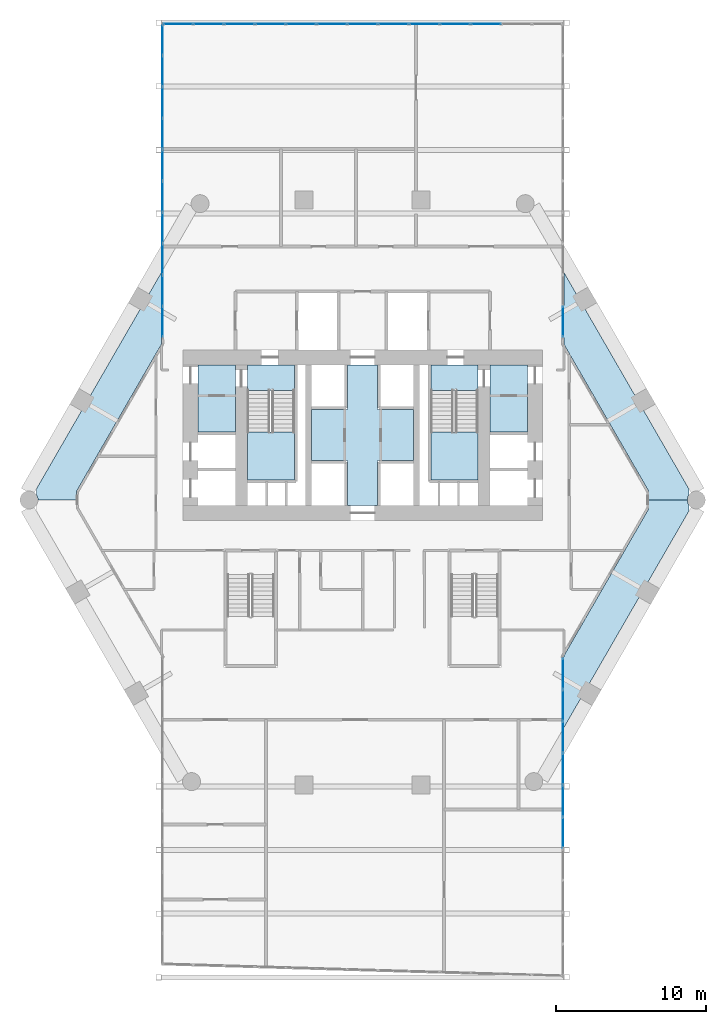
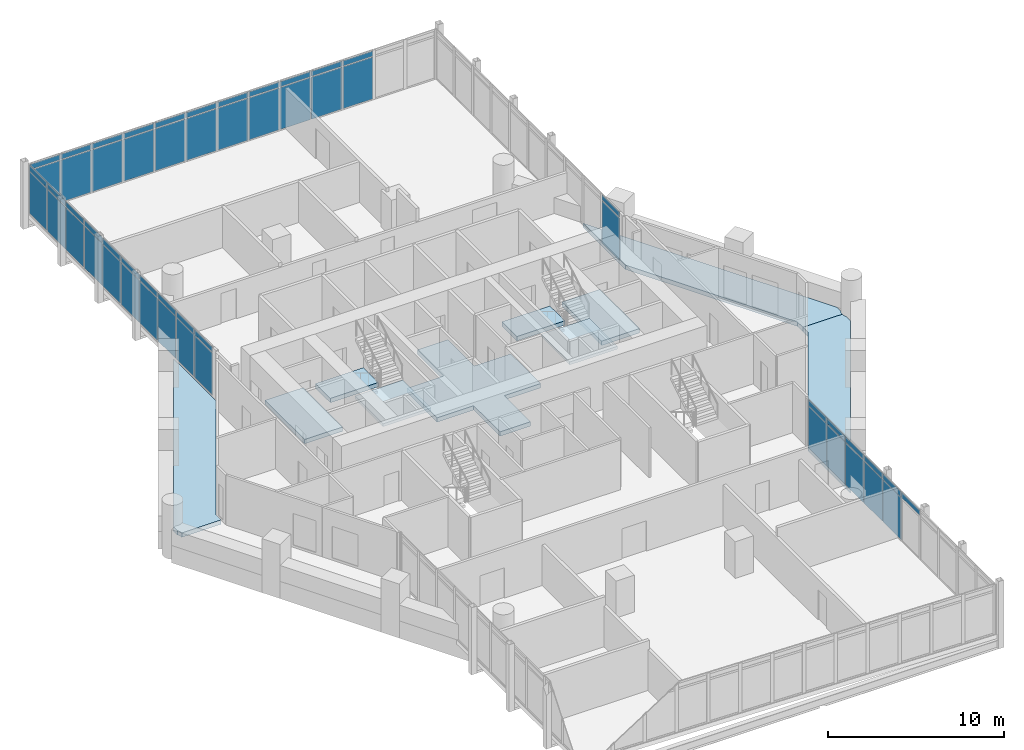
# One storey, part 21 of 28: 55 plates, 10 slabs, 6 elements without a shape of their own.
"""IFC4 building model written with IfcOpenShell, lengths in metres."""

from ifc_helpers import new_model, si_unit, direction, frame, origin, origin_2d, place, context, subcontext, project, spatial, polyline, rectangle, outline, extrude, material, layer, layer_set, type_object, element, aggregate, save


model = new_model("IFC4")

# Units and contexts
model_context = context("Model", 3, precision=1e-05, world=origin(), true_north=direction((0.0, 1.0)))
body_context = subcontext(model_context, "Body", "Model", "MODEL_VIEW")
ifc_project = project(units=[si_unit("LENGTHUNIT", "METRE"), si_unit("AREAUNIT", "SQUARE_METRE"), si_unit("VOLUMEUNIT", "CUBIC_METRE"), si_unit("PLANEANGLEUNIT", "RADIAN"), si_unit("MASSUNIT", "GRAM", prefix="KILO")], contexts=[model_context])

# Site, building, storey
site_placement = place(None, origin())
site = spatial("IfcSite", under=ifc_project, at=site_placement, CompositionType="ELEMENT")
building_placement = place(site_placement, origin())
building = spatial("IfcBuilding", under=site, at=building_placement, Name="Ostrander Bayou Hotel Tower", CompositionType="ELEMENT")
storey_placement = place(building_placement, frame((0.0, 0.0, 104.25)))
storey = spatial("IfcBuildingStorey", under=building, at=storey_placement, Name="L26", CompositionType="ELEMENT", Elevation=104.25)

# Curtain wall, plates
ifc_material_1 = material(Name="Aluminium and clear glass", Category="aluminium")
curtain_wall_type = type_object("IfcCurtainWallType", Name="CW-BAR glazed wall", PredefinedType="NOTDEFINED", material=ifc_material_1)
curtain_wall_1_placement = place(storey_placement, origin())
curtain_wall_1 = element("IfcCurtainWall", 1, at=curtain_wall_1_placement, inside=storey, type_object=curtain_wall_type, Name="CW-BAR L26:SB2S:W", PredefinedType="NOTDEFINED")
ifc_material_2 = material(Name="Clear laminated glass", Category="glass")
ifc_layer_1 = layer(ifc_material_2, 0.028076171875)
ifc_layer_set_1 = layer_set([ifc_layer_1], Name="CW-BR glazing panel 28 mm")
plate_type = type_object("IfcPlateType", Name="CW-BR glazing panel 28 mm", PredefinedType="CURTAIN_PANEL", material=ifc_layer_set_1)
plate_1_placement = place(storey_placement, frame((13.3671875, -11.9248046875, 0.06005859375), z_axis=(0.0, 0.0, 1.0), x_axis=(0.0, -1.0, 0.0)))
plate_1 = element("IfcPlate", 2, at=plate_1_placement, type_object=plate_type, Name="CW-BAR panel 1.1", PredefinedType="CURTAIN_PANEL", context=body_context, shape_type="SweptSolid", body=[
    extrude(rectangle(XDim=2.03515625, YDim=0.028076171875, at=origin_2d()), origin(), (0.0, 0.0, 1.0), 2.909912109375),
])
plate_2_placement = place(storey_placement, frame((13.3671875, -11.9248046875, 3.02978515625), z_axis=(0.0, 0.0, 1.0), x_axis=(0.0, -1.0, 0.0)))
plate_2 = element("IfcPlate", 3, at=plate_2_placement, type_object=plate_type, Name="CW-BAR panel 1.2", PredefinedType="CURTAIN_PANEL", context=body_context, shape_type="SweptSolid", body=[
    extrude(rectangle(XDim=2.03515625, YDim=0.028076171875, at=origin_2d()), origin(), (0.0, 0.0, 1.0), 0.360107421875),
])
plate_3_placement = place(storey_placement, frame((13.3671875, -14.034912109375, 0.06005859375), z_axis=(0.0, 0.0, 1.0), x_axis=(0.0, -1.0, 0.0)))
plate_3 = element("IfcPlate", 4, at=plate_3_placement, type_object=plate_type, Name="CW-BAR panel 2.1", PredefinedType="CURTAIN_PANEL", context=body_context, shape_type="SweptSolid", body=[
    extrude(rectangle(XDim=2.06494140625, YDim=0.028076171875, at=origin_2d()), origin(), (0.0, 0.0, 1.0), 2.909912109375),
])
plate_4_placement = place(storey_placement, frame((13.3671875, -14.034912109375, 3.02978515625), z_axis=(0.0, 0.0, 1.0), x_axis=(0.0, -1.0, 0.0)))
plate_4 = element("IfcPlate", 5, at=plate_4_placement, type_object=plate_type, Name="CW-BAR panel 2.2", PredefinedType="CURTAIN_PANEL", context=body_context, shape_type="SweptSolid", body=[
    extrude(rectangle(XDim=2.06494140625, YDim=0.028076171875, at=origin_2d()), origin(), (0.0, 0.0, 1.0), 0.360107421875),
])
plate_5_placement = place(storey_placement, frame((13.3671875, -16.159912109375, 0.06005859375), z_axis=(0.0, 0.0, 1.0), x_axis=(0.0, -1.0, 0.0)))
plate_5 = element("IfcPlate", 6, at=plate_5_placement, type_object=plate_type, Name="CW-BAR panel 3.1", PredefinedType="CURTAIN_PANEL", context=body_context, shape_type="SweptSolid", body=[
    extrude(rectangle(XDim=2.06494140625, YDim=0.028076171875, at=origin_2d()), origin(), (0.0, 0.0, 1.0), 2.909912109375),
])
plate_6_placement = place(storey_placement, frame((13.3671875, -16.159912109375, 3.02978515625), z_axis=(0.0, 0.0, 1.0), x_axis=(0.0, -1.0, 0.0)))
plate_6 = element("IfcPlate", 7, at=plate_6_placement, type_object=plate_type, Name="CW-BAR panel 3.2", PredefinedType="CURTAIN_PANEL", context=body_context, shape_type="SweptSolid", body=[
    extrude(rectangle(XDim=2.06494140625, YDim=0.028076171875, at=origin_2d()), origin(), (0.0, 0.0, 1.0), 0.360107421875),
])
plate_7_placement = place(storey_placement, frame((13.3671875, -18.284912109375, 0.06005859375), z_axis=(0.0, 0.0, 1.0), x_axis=(0.0, -1.0, 0.0)))
plate_7 = element("IfcPlate", 8, at=plate_7_placement, type_object=plate_type, Name="CW-BAR panel 4.1", PredefinedType="CURTAIN_PANEL", context=body_context, shape_type="SweptSolid", body=[
    extrude(rectangle(XDim=2.06494140625, YDim=0.028076171875, at=origin_2d()), origin(), (0.0, 0.0, 1.0), 2.909912109375),
])
plate_8_placement = place(storey_placement, frame((13.3671875, -18.284912109375, 3.02978515625), z_axis=(0.0, 0.0, 1.0), x_axis=(0.0, -1.0, 0.0)))
plate_8 = element("IfcPlate", 9, at=plate_8_placement, type_object=plate_type, Name="CW-BAR panel 4.2", PredefinedType="CURTAIN_PANEL", context=body_context, shape_type="SweptSolid", body=[
    extrude(rectangle(XDim=2.06494140625, YDim=0.028076171875, at=origin_2d()), origin(), (0.0, 0.0, 1.0), 0.360107421875),
])
plate_9_placement = place(storey_placement, frame((13.3671875, -20.409912109375, 0.06005859375), z_axis=(0.0, 0.0, 1.0), x_axis=(0.0, -1.0, 0.0)))
plate_9 = element("IfcPlate", 10, at=plate_9_placement, type_object=plate_type, Name="CW-BAR panel 5.1", PredefinedType="CURTAIN_PANEL", context=body_context, shape_type="SweptSolid", body=[
    extrude(rectangle(XDim=2.06494140625, YDim=0.028076171875, at=origin_2d()), origin(), (0.0, 0.0, 1.0), 2.909912109375),
])
plate_10_placement = place(storey_placement, frame((13.3671875, -20.409912109375, 3.02978515625), z_axis=(0.0, 0.0, 1.0), x_axis=(0.0, -1.0, 0.0)))
plate_10 = element("IfcPlate", 11, at=plate_10_placement, type_object=plate_type, Name="CW-BAR panel 5.2", PredefinedType="CURTAIN_PANEL", context=body_context, shape_type="SweptSolid", body=[
    extrude(rectangle(XDim=2.06494140625, YDim=0.028076171875, at=origin_2d()), origin(), (0.0, 0.0, 1.0), 0.360107421875),
])
plate_11_placement = place(storey_placement, frame((13.3671875, -22.53515625, 3.02978515625), z_axis=(0.0, 0.0, 1.0), x_axis=(0.0, -1.0, 0.0)))
plate_11 = element("IfcPlate", 12, at=plate_11_placement, type_object=plate_type, Name="CW-BAR panel 6.2", PredefinedType="CURTAIN_PANEL", context=body_context, shape_type="SweptSolid", body=[
    extrude(rectangle(XDim=2.06494140625, YDim=0.028076171875, at=origin_2d()), origin(), (0.0, 0.0, 1.0), 0.360107421875),
])
aggregate(curtain_wall_1, [plate_1, plate_2, plate_3, plate_4, plate_5, plate_6, plate_7, plate_8, plate_9, plate_10, plate_11])

curtain_wall_2_placement = place(storey_placement, origin())
curtain_wall_2 = element("IfcCurtainWall", 13, at=curtain_wall_2_placement, inside=storey, type_object=curtain_wall_type, Name="CW-BAR L26:SB2N:E", PredefinedType="NOTDEFINED")
plate_12_placement = place(storey_placement, frame((-13.3671875, 11.581298828125, 0.06005859375), z_axis=(0.0, 0.0, 1.0), x_axis=(0.0, 1.0, 0.0)))
plate_12 = element("IfcPlate", 14, at=plate_12_placement, type_object=plate_type, Name="CW-BAR panel 1.1", PredefinedType="CURTAIN_PANEL", context=body_context, shape_type="SweptSolid", body=[
    extrude(rectangle(XDim=2.00244140625, YDim=0.028076171875, at=origin_2d()), origin(), (0.0, 0.0, 1.0), 2.909912109375),
])
plate_13_placement = place(storey_placement, frame((-13.3671875, 11.581298828125, 3.02978515625), z_axis=(0.0, 0.0, 1.0), x_axis=(0.0, 1.0, 0.0)))
plate_13 = element("IfcPlate", 15, at=plate_13_placement, type_object=plate_type, Name="CW-BAR panel 1.2", PredefinedType="CURTAIN_PANEL", context=body_context, shape_type="SweptSolid", body=[
    extrude(rectangle(XDim=2.00244140625, YDim=0.028076171875, at=origin_2d()), origin(), (0.0, 0.0, 1.0), 0.360107421875),
])
plate_14_placement = place(storey_placement, frame((-13.3671875, 13.65869140625, 0.06005859375), z_axis=(0.0, 0.0, 1.0), x_axis=(0.0, 1.0, 0.0)))
plate_14 = element("IfcPlate", 16, at=plate_14_placement, type_object=plate_type, Name="CW-BAR panel 2.1", PredefinedType="CURTAIN_PANEL", context=body_context, shape_type="SweptSolid", body=[
    extrude(rectangle(XDim=2.032470703125, YDim=0.028076171875, at=origin_2d()), origin(), (0.0, 0.0, 1.0), 2.909912109375),
])
plate_15_placement = place(storey_placement, frame((-13.3671875, 13.65869140625, 3.02978515625), z_axis=(0.0, 0.0, 1.0), x_axis=(0.0, 1.0, 0.0)))
plate_15 = element("IfcPlate", 17, at=plate_15_placement, type_object=plate_type, Name="CW-BAR panel 2.2", PredefinedType="CURTAIN_PANEL", context=body_context, shape_type="SweptSolid", body=[
    extrude(rectangle(XDim=2.032470703125, YDim=0.028076171875, at=origin_2d()), origin(), (0.0, 0.0, 1.0), 0.360107421875),
])
plate_16_placement = place(storey_placement, frame((-13.3671875, 15.75146484375, 0.06005859375), z_axis=(0.0, 0.0, 1.0), x_axis=(0.0, 1.0, 0.0)))
plate_16 = element("IfcPlate", 18, at=plate_16_placement, type_object=plate_type, Name="CW-BAR panel 3.1", PredefinedType="CURTAIN_PANEL", context=body_context, shape_type="SweptSolid", body=[
    extrude(rectangle(XDim=2.032470703125, YDim=0.028076171875, at=origin_2d()), origin(), (0.0, 0.0, 1.0), 2.909912109375),
])
plate_17_placement = place(storey_placement, frame((-13.3671875, 15.75146484375, 3.02978515625), z_axis=(0.0, 0.0, 1.0), x_axis=(0.0, 1.0, 0.0)))
plate_17 = element("IfcPlate", 19, at=plate_17_placement, type_object=plate_type, Name="CW-BAR panel 3.2", PredefinedType="CURTAIN_PANEL", context=body_context, shape_type="SweptSolid", body=[
    extrude(rectangle(XDim=2.032470703125, YDim=0.028076171875, at=origin_2d()), origin(), (0.0, 0.0, 1.0), 0.360107421875),
])
plate_18_placement = place(storey_placement, frame((-13.3671875, 17.843994140625, 0.06005859375), z_axis=(0.0, 0.0, 1.0), x_axis=(0.0, 1.0, 0.0)))
plate_18 = element("IfcPlate", 20, at=plate_18_placement, type_object=plate_type, Name="CW-BAR panel 4.1", PredefinedType="CURTAIN_PANEL", context=body_context, shape_type="SweptSolid", body=[
    extrude(rectangle(XDim=2.032470703125, YDim=0.028076171875, at=origin_2d()), origin(), (0.0, 0.0, 1.0), 2.909912109375),
])
plate_19_placement = place(storey_placement, frame((-13.3671875, 17.843994140625, 3.02978515625), z_axis=(0.0, 0.0, 1.0), x_axis=(0.0, 1.0, 0.0)))
plate_19 = element("IfcPlate", 21, at=plate_19_placement, type_object=plate_type, Name="CW-BAR panel 4.2", PredefinedType="CURTAIN_PANEL", context=body_context, shape_type="SweptSolid", body=[
    extrude(rectangle(XDim=2.032470703125, YDim=0.028076171875, at=origin_2d()), origin(), (0.0, 0.0, 1.0), 0.360107421875),
])
plate_20_placement = place(storey_placement, frame((-13.3671875, 19.9365234375, 0.06005859375), z_axis=(0.0, 0.0, 1.0), x_axis=(0.0, 1.0, 0.0)))
plate_20 = element("IfcPlate", 22, at=plate_20_placement, type_object=plate_type, Name="CW-BAR panel 5.1", PredefinedType="CURTAIN_PANEL", context=body_context, shape_type="SweptSolid", body=[
    extrude(rectangle(XDim=2.032470703125, YDim=0.028076171875, at=origin_2d()), origin(), (0.0, 0.0, 1.0), 2.909912109375),
])
plate_21_placement = place(storey_placement, frame((-13.3671875, 19.9365234375, 3.02978515625), z_axis=(0.0, 0.0, 1.0), x_axis=(0.0, 1.0, 0.0)))
plate_21 = element("IfcPlate", 23, at=plate_21_placement, type_object=plate_type, Name="CW-BAR panel 5.2", PredefinedType="CURTAIN_PANEL", context=body_context, shape_type="SweptSolid", body=[
    extrude(rectangle(XDim=2.032470703125, YDim=0.028076171875, at=origin_2d()), origin(), (0.0, 0.0, 1.0), 0.360107421875),
])
plate_22_placement = place(storey_placement, frame((-13.3671875, 22.029052734375, 0.06005859375), z_axis=(0.0, 0.0, 1.0), x_axis=(0.0, 1.0, 0.0)))
plate_22 = element("IfcPlate", 24, at=plate_22_placement, type_object=plate_type, Name="CW-BAR panel 6.1", PredefinedType="CURTAIN_PANEL", context=body_context, shape_type="SweptSolid", body=[
    extrude(rectangle(XDim=2.032470703125, YDim=0.028076171875, at=origin_2d()), origin(), (0.0, 0.0, 1.0), 2.909912109375),
])
plate_23_placement = place(storey_placement, frame((-13.3671875, 22.029052734375, 3.02978515625), z_axis=(0.0, 0.0, 1.0), x_axis=(0.0, 1.0, 0.0)))
plate_23 = element("IfcPlate", 25, at=plate_23_placement, type_object=plate_type, Name="CW-BAR panel 6.2", PredefinedType="CURTAIN_PANEL", context=body_context, shape_type="SweptSolid", body=[
    extrude(rectangle(XDim=2.032470703125, YDim=0.028076171875, at=origin_2d()), origin(), (0.0, 0.0, 1.0), 0.360107421875),
])
plate_24_placement = place(storey_placement, frame((-13.3671875, 24.12158203125, 0.06005859375), z_axis=(0.0, 0.0, 1.0), x_axis=(0.0, 1.0, 0.0)))
plate_24 = element("IfcPlate", 26, at=plate_24_placement, type_object=plate_type, Name="CW-BAR panel 7.1", PredefinedType="CURTAIN_PANEL", context=body_context, shape_type="SweptSolid", body=[
    extrude(rectangle(XDim=2.032470703125, YDim=0.028076171875, at=origin_2d()), origin(), (0.0, 0.0, 1.0), 2.909912109375),
])
plate_25_placement = place(storey_placement, frame((-13.3671875, 24.12158203125, 3.02978515625), z_axis=(0.0, 0.0, 1.0), x_axis=(0.0, 1.0, 0.0)))
plate_25 = element("IfcPlate", 27, at=plate_25_placement, type_object=plate_type, Name="CW-BAR panel 7.2", PredefinedType="CURTAIN_PANEL", context=body_context, shape_type="SweptSolid", body=[
    extrude(rectangle(XDim=2.032470703125, YDim=0.028076171875, at=origin_2d()), origin(), (0.0, 0.0, 1.0), 0.360107421875),
])
plate_26_placement = place(storey_placement, frame((-13.3671875, 26.214111328125, 0.06005859375), z_axis=(0.0, 0.0, 1.0), x_axis=(0.0, 1.0, 0.0)))
plate_26 = element("IfcPlate", 28, at=plate_26_placement, type_object=plate_type, Name="CW-BAR panel 8.1", PredefinedType="CURTAIN_PANEL", context=body_context, shape_type="SweptSolid", body=[
    extrude(rectangle(XDim=2.032470703125, YDim=0.028076171875, at=origin_2d()), origin(), (0.0, 0.0, 1.0), 2.909912109375),
])
plate_27_placement = place(storey_placement, frame((-13.3671875, 26.214111328125, 3.02978515625), z_axis=(0.0, 0.0, 1.0), x_axis=(0.0, 1.0, 0.0)))
plate_27 = element("IfcPlate", 29, at=plate_27_placement, type_object=plate_type, Name="CW-BAR panel 8.2", PredefinedType="CURTAIN_PANEL", context=body_context, shape_type="SweptSolid", body=[
    extrude(rectangle(XDim=2.032470703125, YDim=0.028076171875, at=origin_2d()), origin(), (0.0, 0.0, 1.0), 0.360107421875),
])
plate_28_placement = place(storey_placement, frame((-13.3671875, 28.306640625, 0.06005859375), z_axis=(0.0, 0.0, 1.0), x_axis=(0.0, 1.0, 0.0)))
plate_28 = element("IfcPlate", 30, at=plate_28_placement, type_object=plate_type, Name="CW-BAR panel 9.1", PredefinedType="CURTAIN_PANEL", context=body_context, shape_type="SweptSolid", body=[
    extrude(rectangle(XDim=2.032470703125, YDim=0.028076171875, at=origin_2d()), origin(), (0.0, 0.0, 1.0), 2.909912109375),
])
plate_29_placement = place(storey_placement, frame((-13.3671875, 28.306640625, 3.02978515625), z_axis=(0.0, 0.0, 1.0), x_axis=(0.0, 1.0, 0.0)))
plate_29 = element("IfcPlate", 31, at=plate_29_placement, type_object=plate_type, Name="CW-BAR panel 9.2", PredefinedType="CURTAIN_PANEL", context=body_context, shape_type="SweptSolid", body=[
    extrude(rectangle(XDim=2.032470703125, YDim=0.028076171875, at=origin_2d()), origin(), (0.0, 0.0, 1.0), 0.360107421875),
])
plate_30_placement = place(storey_placement, frame((-13.3671875, 30.384033203125, 0.06005859375), z_axis=(0.0, 0.0, 1.0), x_axis=(0.0, 1.0, 0.0)))
plate_30 = element("IfcPlate", 32, at=plate_30_placement, type_object=plate_type, Name="CW-BAR panel 10.1", PredefinedType="CURTAIN_PANEL", context=body_context, shape_type="SweptSolid", body=[
    extrude(rectangle(XDim=2.00244140625, YDim=0.028076171875, at=origin_2d()), origin(), (0.0, 0.0, 1.0), 2.909912109375),
])
plate_31_placement = place(storey_placement, frame((-13.3671875, 30.384033203125, 3.02978515625), z_axis=(0.0, 0.0, 1.0), x_axis=(0.0, 1.0, 0.0)))
plate_31 = element("IfcPlate", 33, at=plate_31_placement, type_object=plate_type, Name="CW-BAR panel 10.2", PredefinedType="CURTAIN_PANEL", context=body_context, shape_type="SweptSolid", body=[
    extrude(rectangle(XDim=2.00244140625, YDim=0.028076171875, at=origin_2d()), origin(), (0.0, 0.0, 1.0), 0.360107421875),
])
aggregate(curtain_wall_2, [plate_12, plate_13, plate_14, plate_15, plate_16, plate_17, plate_18, plate_19, plate_20, plate_21, plate_22, plate_23, plate_24, plate_25, plate_26, plate_27, plate_28, plate_29, plate_30, plate_31])

curtain_wall_3_placement = place(storey_placement, origin())
curtain_wall_3 = element("IfcCurtainWall", 34, at=curtain_wall_3_placement, inside=storey, type_object=curtain_wall_type, Name="CW-BAR L26:SB2N:T", PredefinedType="NOTDEFINED")
plate_32_placement = place(storey_placement, frame((-12.323974609375, 31.4453125, 0.06005859375), z_axis=(0.0, 0.0, 1.0), x_axis=(1.0, 0.0, 0.0)))
plate_32 = element("IfcPlate", 35, at=plate_32_placement, type_object=plate_type, Name="CW-BAR panel 1.1", PredefinedType="CURTAIN_PANEL", context=body_context, shape_type="SweptSolid", body=[
    extrude(rectangle(XDim=1.966552734375, YDim=0.028076171875, at=origin_2d()), origin(), (0.0, 0.0, 1.0), 2.909912109375),
])
plate_33_placement = place(storey_placement, frame((-12.323974609375, 31.4453125, 3.02978515625), z_axis=(0.0, 0.0, 1.0), x_axis=(1.0, 0.0, 0.0)))
plate_33 = element("IfcPlate", 36, at=plate_33_placement, type_object=plate_type, Name="CW-BAR panel 1.2", PredefinedType="CURTAIN_PANEL", context=body_context, shape_type="SweptSolid", body=[
    extrude(rectangle(XDim=1.966552734375, YDim=0.028076171875, at=origin_2d()), origin(), (0.0, 0.0, 1.0), 0.360107421875),
])
plate_34_placement = place(storey_placement, frame((-10.282470703125, 31.4453125, 0.06005859375), z_axis=(0.0, 0.0, 1.0), x_axis=(1.0, 0.0, 0.0)))
plate_34 = element("IfcPlate", 37, at=plate_34_placement, type_object=plate_type, Name="CW-BAR panel 2.1", PredefinedType="CURTAIN_PANEL", context=body_context, shape_type="SweptSolid", body=[
    extrude(rectangle(XDim=1.99658203125, YDim=0.028076171875, at=origin_2d()), origin(), (0.0, 0.0, 1.0), 2.909912109375),
])
plate_35_placement = place(storey_placement, frame((-10.282470703125, 31.4453125, 3.02978515625), z_axis=(0.0, 0.0, 1.0), x_axis=(1.0, 0.0, 0.0)))
plate_35 = element("IfcPlate", 38, at=plate_35_placement, type_object=plate_type, Name="CW-BAR panel 2.2", PredefinedType="CURTAIN_PANEL", context=body_context, shape_type="SweptSolid", body=[
    extrude(rectangle(XDim=1.99658203125, YDim=0.028076171875, at=origin_2d()), origin(), (0.0, 0.0, 1.0), 0.360107421875),
])
plate_36_placement = place(storey_placement, frame((-8.22607421875, 31.4453125, 0.06005859375), z_axis=(0.0, 0.0, 1.0), x_axis=(1.0, 0.0, 0.0)))
plate_36 = element("IfcPlate", 39, at=plate_36_placement, type_object=plate_type, Name="CW-BAR panel 3.1", PredefinedType="CURTAIN_PANEL", context=body_context, shape_type="SweptSolid", body=[
    extrude(rectangle(XDim=1.99658203125, YDim=0.028076171875, at=origin_2d()), origin(), (0.0, 0.0, 1.0), 2.909912109375),
])
plate_37_placement = place(storey_placement, frame((-8.22607421875, 31.4453125, 3.02978515625), z_axis=(0.0, 0.0, 1.0), x_axis=(1.0, 0.0, 0.0)))
plate_37 = element("IfcPlate", 40, at=plate_37_placement, type_object=plate_type, Name="CW-BAR panel 3.2", PredefinedType="CURTAIN_PANEL", context=body_context, shape_type="SweptSolid", body=[
    extrude(rectangle(XDim=1.99658203125, YDim=0.028076171875, at=origin_2d()), origin(), (0.0, 0.0, 1.0), 0.360107421875),
])
plate_38_placement = place(storey_placement, frame((-6.16943359375, 31.4453125, 0.06005859375), z_axis=(0.0, 0.0, 1.0), x_axis=(1.0, 0.0, 0.0)))
plate_38 = element("IfcPlate", 41, at=plate_38_placement, type_object=plate_type, Name="CW-BAR panel 4.1", PredefinedType="CURTAIN_PANEL", context=body_context, shape_type="SweptSolid", body=[
    extrude(rectangle(XDim=1.99658203125, YDim=0.028076171875, at=origin_2d()), origin(), (0.0, 0.0, 1.0), 2.909912109375),
])
plate_39_placement = place(storey_placement, frame((-6.16943359375, 31.4453125, 3.02978515625), z_axis=(0.0, 0.0, 1.0), x_axis=(1.0, 0.0, 0.0)))
plate_39 = element("IfcPlate", 42, at=plate_39_placement, type_object=plate_type, Name="CW-BAR panel 4.2", PredefinedType="CURTAIN_PANEL", context=body_context, shape_type="SweptSolid", body=[
    extrude(rectangle(XDim=1.99658203125, YDim=0.028076171875, at=origin_2d()), origin(), (0.0, 0.0, 1.0), 0.360107421875),
])
plate_40_placement = place(storey_placement, frame((-4.113037109375, 31.4453125, 0.06005859375), z_axis=(0.0, 0.0, 1.0), x_axis=(1.0, 0.0, 0.0)))
plate_40 = element("IfcPlate", 43, at=plate_40_placement, type_object=plate_type, Name="CW-BAR panel 5.1", PredefinedType="CURTAIN_PANEL", context=body_context, shape_type="SweptSolid", body=[
    extrude(rectangle(XDim=1.99658203125, YDim=0.028076171875, at=origin_2d()), origin(), (0.0, 0.0, 1.0), 2.909912109375),
])
plate_41_placement = place(storey_placement, frame((-4.113037109375, 31.4453125, 3.02978515625), z_axis=(0.0, 0.0, 1.0), x_axis=(1.0, 0.0, 0.0)))
plate_41 = element("IfcPlate", 44, at=plate_41_placement, type_object=plate_type, Name="CW-BAR panel 5.2", PredefinedType="CURTAIN_PANEL", context=body_context, shape_type="SweptSolid", body=[
    extrude(rectangle(XDim=1.99658203125, YDim=0.028076171875, at=origin_2d()), origin(), (0.0, 0.0, 1.0), 0.360107421875),
])
plate_42_placement = place(storey_placement, frame((-2.056396484375, 31.4453125, 0.06005859375), z_axis=(0.0, 0.0, 1.0), x_axis=(1.0, 0.0, 0.0)))
plate_42 = element("IfcPlate", 45, at=plate_42_placement, type_object=plate_type, Name="CW-BAR panel 6.1", PredefinedType="CURTAIN_PANEL", context=body_context, shape_type="SweptSolid", body=[
    extrude(rectangle(XDim=1.99658203125, YDim=0.028076171875, at=origin_2d()), origin(), (0.0, 0.0, 1.0), 2.909912109375),
])
plate_43_placement = place(storey_placement, frame((-2.056396484375, 31.4453125, 3.02978515625), z_axis=(0.0, 0.0, 1.0), x_axis=(1.0, 0.0, 0.0)))
plate_43 = element("IfcPlate", 46, at=plate_43_placement, type_object=plate_type, Name="CW-BAR panel 6.2", PredefinedType="CURTAIN_PANEL", context=body_context, shape_type="SweptSolid", body=[
    extrude(rectangle(XDim=1.99658203125, YDim=0.028076171875, at=origin_2d()), origin(), (0.0, 0.0, 1.0), 0.360107421875),
])
plate_44_placement = place(storey_placement, frame((0.0, 31.4453125, 0.06005859375), z_axis=(0.0, 0.0, 1.0), x_axis=(1.0, 0.0, 0.0)))
plate_44 = element("IfcPlate", 47, at=plate_44_placement, type_object=plate_type, Name="CW-BAR panel 7.1", PredefinedType="CURTAIN_PANEL", context=body_context, shape_type="SweptSolid", body=[
    extrude(rectangle(XDim=1.99658203125, YDim=0.028076171875, at=origin_2d()), origin(), (0.0, 0.0, 1.0), 2.909912109375),
])
plate_45_placement = place(storey_placement, frame((0.0, 31.4453125, 3.02978515625), z_axis=(0.0, 0.0, 1.0), x_axis=(1.0, 0.0, 0.0)))
plate_45 = element("IfcPlate", 48, at=plate_45_placement, type_object=plate_type, Name="CW-BAR panel 7.2", PredefinedType="CURTAIN_PANEL", context=body_context, shape_type="SweptSolid", body=[
    extrude(rectangle(XDim=1.99658203125, YDim=0.028076171875, at=origin_2d()), origin(), (0.0, 0.0, 1.0), 0.360107421875),
])
plate_46_placement = place(storey_placement, frame((2.056396484375, 31.4453125, 0.06005859375), z_axis=(0.0, 0.0, 1.0), x_axis=(1.0, 0.0, 0.0)))
plate_46 = element("IfcPlate", 49, at=plate_46_placement, type_object=plate_type, Name="CW-BAR panel 8.1", PredefinedType="CURTAIN_PANEL", context=body_context, shape_type="SweptSolid", body=[
    extrude(rectangle(XDim=1.99658203125, YDim=0.028076171875, at=origin_2d()), origin(), (0.0, 0.0, 1.0), 2.909912109375),
])
plate_47_placement = place(storey_placement, frame((2.056396484375, 31.4453125, 3.02978515625), z_axis=(0.0, 0.0, 1.0), x_axis=(1.0, 0.0, 0.0)))
plate_47 = element("IfcPlate", 50, at=plate_47_placement, type_object=plate_type, Name="CW-BAR panel 8.2", PredefinedType="CURTAIN_PANEL", context=body_context, shape_type="SweptSolid", body=[
    extrude(rectangle(XDim=1.99658203125, YDim=0.028076171875, at=origin_2d()), origin(), (0.0, 0.0, 1.0), 0.360107421875),
])
plate_48_placement = place(storey_placement, frame((4.113037109375, 31.4453125, 0.06005859375), z_axis=(0.0, 0.0, 1.0), x_axis=(1.0, 0.0, 0.0)))
plate_48 = element("IfcPlate", 51, at=plate_48_placement, type_object=plate_type, Name="CW-BAR panel 9.1", PredefinedType="CURTAIN_PANEL", context=body_context, shape_type="SweptSolid", body=[
    extrude(rectangle(XDim=1.99658203125, YDim=0.028076171875, at=origin_2d()), origin(), (0.0, 0.0, 1.0), 2.909912109375),
])
plate_49_placement = place(storey_placement, frame((4.113037109375, 31.4453125, 3.02978515625), z_axis=(0.0, 0.0, 1.0), x_axis=(1.0, 0.0, 0.0)))
plate_49 = element("IfcPlate", 52, at=plate_49_placement, type_object=plate_type, Name="CW-BAR panel 9.2", PredefinedType="CURTAIN_PANEL", context=body_context, shape_type="SweptSolid", body=[
    extrude(rectangle(XDim=1.99658203125, YDim=0.028076171875, at=origin_2d()), origin(), (0.0, 0.0, 1.0), 0.360107421875),
])
plate_50_placement = place(storey_placement, frame((6.16943359375, 31.4453125, 0.06005859375), z_axis=(0.0, 0.0, 1.0), x_axis=(1.0, 0.0, 0.0)))
plate_50 = element("IfcPlate", 53, at=plate_50_placement, type_object=plate_type, Name="CW-BAR panel 10.1", PredefinedType="CURTAIN_PANEL", context=body_context, shape_type="SweptSolid", body=[
    extrude(rectangle(XDim=1.99658203125, YDim=0.028076171875, at=origin_2d()), origin(), (0.0, 0.0, 1.0), 2.909912109375),
])
plate_51_placement = place(storey_placement, frame((6.16943359375, 31.4453125, 3.02978515625), z_axis=(0.0, 0.0, 1.0), x_axis=(1.0, 0.0, 0.0)))
plate_51 = element("IfcPlate", 54, at=plate_51_placement, type_object=plate_type, Name="CW-BAR panel 10.2", PredefinedType="CURTAIN_PANEL", context=body_context, shape_type="SweptSolid", body=[
    extrude(rectangle(XDim=1.99658203125, YDim=0.028076171875, at=origin_2d()), origin(), (0.0, 0.0, 1.0), 0.360107421875),
])
plate_52_placement = place(storey_placement, frame((8.22607421875, 31.4453125, 0.06005859375), z_axis=(0.0, 0.0, 1.0), x_axis=(1.0, 0.0, 0.0)))
plate_52 = element("IfcPlate", 55, at=plate_52_placement, type_object=plate_type, Name="CW-BAR panel 11.1", PredefinedType="CURTAIN_PANEL", context=body_context, shape_type="SweptSolid", body=[
    extrude(rectangle(XDim=1.99658203125, YDim=0.028076171875, at=origin_2d()), origin(), (0.0, 0.0, 1.0), 2.909912109375),
])
plate_53_placement = place(storey_placement, frame((8.22607421875, 31.4453125, 3.02978515625), z_axis=(0.0, 0.0, 1.0), x_axis=(1.0, 0.0, 0.0)))
plate_53 = element("IfcPlate", 56, at=plate_53_placement, type_object=plate_type, Name="CW-BAR panel 11.2", PredefinedType="CURTAIN_PANEL", context=body_context, shape_type="SweptSolid", body=[
    extrude(rectangle(XDim=1.99658203125, YDim=0.028076171875, at=origin_2d()), origin(), (0.0, 0.0, 1.0), 0.360107421875),
])
aggregate(curtain_wall_3, [plate_32, plate_33, plate_34, plate_35, plate_36, plate_37, plate_38, plate_39, plate_40, plate_41, plate_42, plate_43, plate_44, plate_45, plate_46, plate_47, plate_48, plate_49, plate_50, plate_51, plate_52, plate_53])

curtain_wall_4_placement = place(storey_placement, origin())
curtain_wall_4 = element("IfcCurtainWall", 57, at=curtain_wall_4_placement, inside=storey, type_object=curtain_wall_type, Name="CW-BAR L26:SB2N:W", PredefinedType="NOTDEFINED")
plate_54_placement = place(storey_placement, frame((13.3671875, 11.581298828125, 0.06005859375), z_axis=(0.0, 0.0, 1.0), x_axis=(0.0, 1.0, 0.0)))
plate_54 = element("IfcPlate", 58, at=plate_54_placement, type_object=plate_type, Name="CW-BAR panel 1.1", PredefinedType="CURTAIN_PANEL", context=body_context, shape_type="SweptSolid", body=[
    extrude(rectangle(XDim=2.00244140625, YDim=0.028076171875, at=origin_2d()), origin(), (0.0, 0.0, 1.0), 2.909912109375),
])
plate_55_placement = place(storey_placement, frame((13.3671875, 11.581298828125, 3.02978515625), z_axis=(0.0, 0.0, 1.0), x_axis=(0.0, 1.0, 0.0)))
plate_55 = element("IfcPlate", 59, at=plate_55_placement, type_object=plate_type, Name="CW-BAR panel 1.2", PredefinedType="CURTAIN_PANEL", context=body_context, shape_type="SweptSolid", body=[
    extrude(rectangle(XDim=2.00244140625, YDim=0.028076171875, at=origin_2d()), origin(), (0.0, 0.0, 1.0), 0.360107421875),
])
aggregate(curtain_wall_4, [plate_54, plate_55])

# Slabs
ifc_material_3 = material(Name="Concrete f'c 40 MPa", Category="concrete")
ifc_layer_2 = layer(ifc_material_3, 0.300048828125)
ifc_layer_set_2 = layer_set([ifc_layer_2], Name="SL1 floor slab 300 mm f'c 40 MPa")
slab_type_1 = type_object("IfcSlabType", Name="SL1 floor slab 300 mm f'c 40 MPa", PredefinedType="FLOOR", material=ifc_layer_set_2)
slab_1_placement = place(storey_placement, frame((0.0, 0.0, -0.300048828125)))
element("IfcSlab", 60, at=slab_1_placement, inside=storey, type_object=slab_type_1, Name="cslab:L26:001", PredefinedType="FLOOR", context=body_context, shape_type="SweptSolid", body=[
    extrude(outline(polyline([(-3.39990234375, 5.699951171875), (-1.0, 5.699951171875), (-1.0, 8.699951171875), (1.0, 8.699951171875), (1.0, 5.699951171875), (3.39990234375, 5.699951171875), (3.39990234375, 2.300048828125), (1.0, 2.300048828125), (1.0, -0.699951171875), (-1.0, -0.699951171875), (-1.0, 2.300048828125), (-3.39990234375, 2.300048828125), (-3.39990234375, 5.699951171875)])), origin(), (0.0, 0.0, 1.0), 0.300048828125),
])
slab_2_placement = place(storey_placement, frame((0.0, 0.0, -0.300048828125)))
element("IfcSlab", 61, at=slab_2_placement, inside=storey, type_object=slab_type_1, Name="cslab:L26:002", PredefinedType="FLOOR", context=body_context, shape_type="SweptSolid", body=[
    extrude(outline(polyline([(-8.5, 4.199951171875), (-8.5, 8.699951171875), (-11.0, 8.699951171875), (-11.0, 4.199951171875), (-8.5, 4.199951171875)])), origin(), (0.0, 0.0, 1.0), 0.300048828125),
])
slab_3_placement = place(storey_placement, frame((0.0, 0.0, -0.300048828125)))
element("IfcSlab", 62, at=slab_3_placement, inside=storey, type_object=slab_type_1, Name="cslab:L26:003", PredefinedType="FLOOR", context=body_context, shape_type="SweptSolid", body=[
    extrude(outline(polyline([(11.0, 4.199951171875), (11.0, 8.699951171875), (8.5, 8.699951171875), (8.5, 4.199951171875), (11.0, 4.199951171875)])), origin(), (0.0, 0.0, 1.0), 0.300048828125),
])
slab_4_placement = place(storey_placement, frame((0.0, 0.0, -0.300048828125)))
element("IfcSlab", 63, at=slab_4_placement, inside=storey, type_object=slab_type_1, Name="cslab:L26:004", PredefinedType="FLOOR", context=body_context, shape_type="SweptSolid", body=[
    extrude(outline(polyline([(-4.550048828125, 7.0), (-4.550048828125, 8.699951171875), (-7.699951171875, 8.699951171875), (-7.699951171875, 7.0), (-4.550048828125, 7.0)])), origin(), (0.0, 0.0, 1.0), 0.300048828125),
])
slab_5_placement = place(storey_placement, frame((0.0, 0.0, -0.300048828125)))
element("IfcSlab", 64, at=slab_5_placement, inside=storey, type_object=slab_type_1, Name="cslab:L26:005", PredefinedType="FLOOR", context=body_context, shape_type="SweptSolid", body=[
    extrude(outline(polyline([(7.699951171875, 7.0), (7.699951171875, 8.699951171875), (4.550048828125, 8.699951171875), (4.550048828125, 7.0), (7.699951171875, 7.0)])), origin(), (0.0, 0.0, 1.0), 0.300048828125),
])
ifc_material_4 = material(Name="Concrete f'c 40 MPa", Category="concrete")
ifc_layer_3 = layer(ifc_material_4, 0.300048828125)
ifc_layer_set_3 = layer_set([ifc_layer_3], Name="SL4 loggia slab 300 mm f'c 40 MPa")
slab_type_2 = type_object("IfcSlabType", Name="SL4 loggia slab 300 mm f'c 40 MPa", PredefinedType="FLOOR", material=ifc_layer_set_3)
slab_6_placement = place(storey_placement, frame((0.0, 0.0, -0.300048828125)))
element("IfcSlab", 65, at=slab_6_placement, inside=storey, type_object=slab_type_2, Name="SL4 LOGGIA L26 NW 1", PredefinedType="FLOOR", context=body_context, shape_type="SweptSolid", body=[
    extrude(outline(polyline([(-13.442138671875, 10.062744140625), (-19.094482421875, 0.272705078125), (-19.094482421875, -0.327392578125), (-21.68017578125, -0.327392578125), (-21.691650390625, -0.210205078125), (-21.725830078125, -0.09765625), (-21.779296875, 0.002197265625), (-21.779296875, 0.422607421875), (-18.185791015625, 6.646728515625), (-16.205810546875, 10.075927734375), (-13.442138671875, 14.86279296875), (-13.442138671875, 10.062744140625)])), origin(), (0.0, 0.0, 1.0), 0.300048828125),
])
slab_7_placement = place(storey_placement, frame((0.0, 0.0, -0.300048828125)))
element("IfcSlab", 66, at=slab_7_placement, inside=storey, type_object=slab_type_2, Name="SL4 LOGGIA L26 SE 1", PredefinedType="FLOOR", context=body_context, shape_type="SweptSolid", body=[
    extrude(outline(polyline([(15.132568359375, -12.589599609375), (14.5625, -13.576904296875), (13.442138671875, -15.517333984375), (13.442138671875, -10.71728515625), (19.094482421875, -0.92724609375), (19.094482421875, -0.327392578125), (21.68017578125, -0.327392578125), (21.691650390625, -0.4443359375), (21.725830078125, -0.556884765625), (21.779296875, -0.65673828125), (21.779296875, -1.077392578125), (19.039306640625, -5.822998046875), (18.46923828125, -6.810302734375), (15.132568359375, -12.589599609375)])), origin(), (0.0, 0.0, 1.0), 0.300048828125),
])
slab_8_placement = place(storey_placement, frame((0.0, 0.0, -0.300048828125)))
element("IfcSlab", 67, at=slab_8_placement, inside=storey, type_object=slab_type_2, Name="SL4 LOGGIA L26 NE 1", PredefinedType="FLOOR", context=body_context, shape_type="SweptSolid", body=[
    extrude(outline(polyline([(13.442138671875, 14.86279296875), (17.139892578125, 8.45849609375), (18.185791015625, 6.646728515625), (21.779296875, 0.422607421875), (21.779296875, 0.002197265625), (21.725830078125, -0.09765625), (21.691650390625, -0.210205078125), (21.68017578125, -0.327392578125), (19.094482421875, -0.327392578125), (19.094482421875, 0.272705078125), (13.442138671875, 10.062744140625), (13.442138671875, 14.86279296875)])), origin(), (0.0, 0.0, 1.0), 0.300048828125),
])

# Stair, slab
ifc_material_5 = material(Name="Concrete f'c 45 MPa", Category="concrete")
stair_type = type_object("IfcStairType", Name="ST1 exit stair 1500 mm f'c 45 MPa", PredefinedType="HALF_TURN_STAIR", material=ifc_material_5)
stair_1_placement = place(storey_placement, origin())
stair_1 = element("IfcStair", 68, at=stair_1_placement, inside=storey, type_object=stair_type, Name="L26 exit stair A", PredefinedType="HALF_TURN_STAIR")
ifc_material_6 = material(Name="Concrete f'c 45 MPa", Category="concrete")
ifc_layer_4 = layer(ifc_material_6, 0.199951171875)
ifc_layer_set_4 = layer_set([ifc_layer_4], Name="SL8 stair landing 200 mm f'c 45 MPa")
slab_type_3 = type_object("IfcSlabType", Name="SL8 stair landing 200 mm f'c 45 MPa", PredefinedType="LANDING", material=ifc_layer_set_4)
slab_9_placement = place(storey_placement, frame((0.0, 0.0, 1.675048828125)))
slab_9 = element("IfcSlab", 69, at=slab_9_placement, type_object=slab_type_3, Name="STA landing 1", PredefinedType="LANDING", context=body_context, shape_type="SweptSolid", body=[
    extrude(outline(polyline([(-7.699951171875, 4.199951171875), (-7.699951171875, 1.0), (-4.550048828125, 1.0), (-4.550048828125, 4.199951171875), (-7.699951171875, 4.199951171875)])), origin(), (0.0, 0.0, 1.0), 0.199951171875),
])
aggregate(stair_1, [slab_9])

stair_2_placement = place(storey_placement, origin())
stair_2 = element("IfcStair", 70, at=stair_2_placement, inside=storey, type_object=stair_type, Name="L26 exit stair B", PredefinedType="HALF_TURN_STAIR")
slab_10_placement = place(storey_placement, frame((0.0, 0.0, 1.675048828125)))
slab_10 = element("IfcSlab", 71, at=slab_10_placement, type_object=slab_type_3, Name="STB landing 1", PredefinedType="LANDING", context=body_context, shape_type="SweptSolid", body=[
    extrude(outline(polyline([(4.550048828125, 4.199951171875), (4.550048828125, 1.0), (7.699951171875, 1.0), (7.699951171875, 4.199951171875), (4.550048828125, 4.199951171875)])), origin(), (0.0, 0.0, 1.0), 0.199951171875),
])
aggregate(stair_2, [slab_10])

save(model, "model.ifc")
